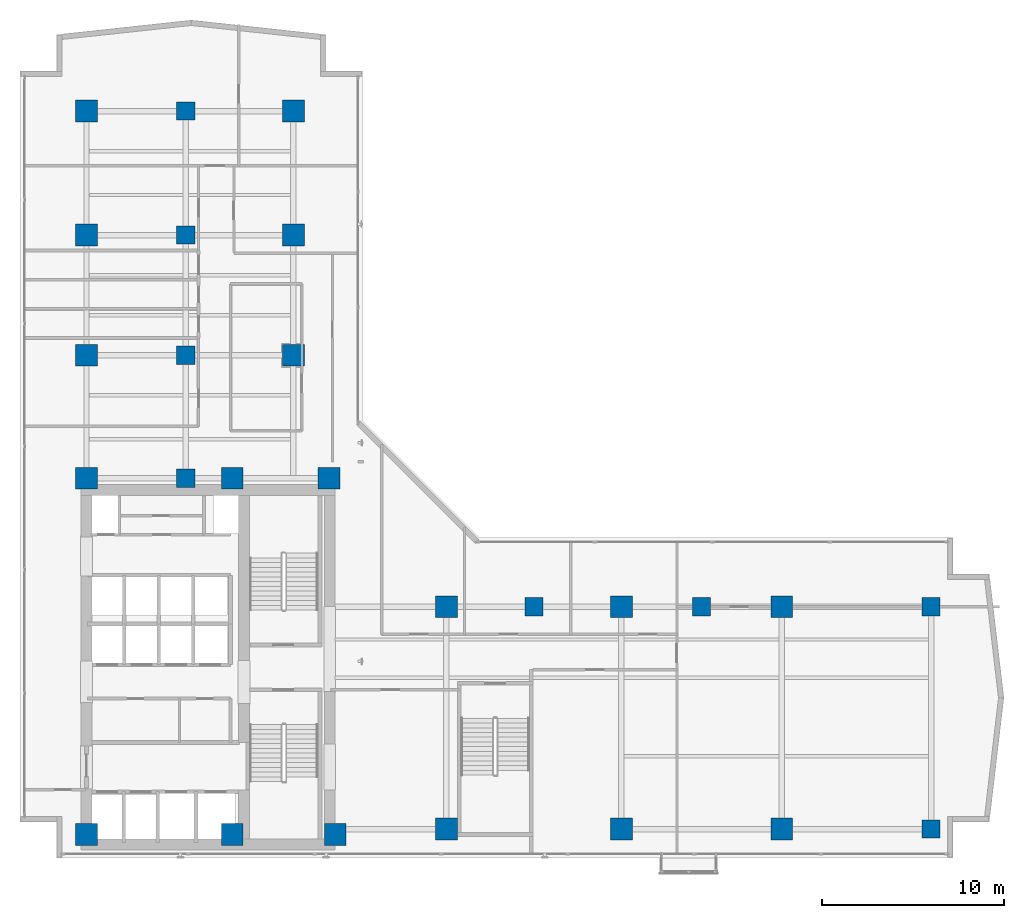
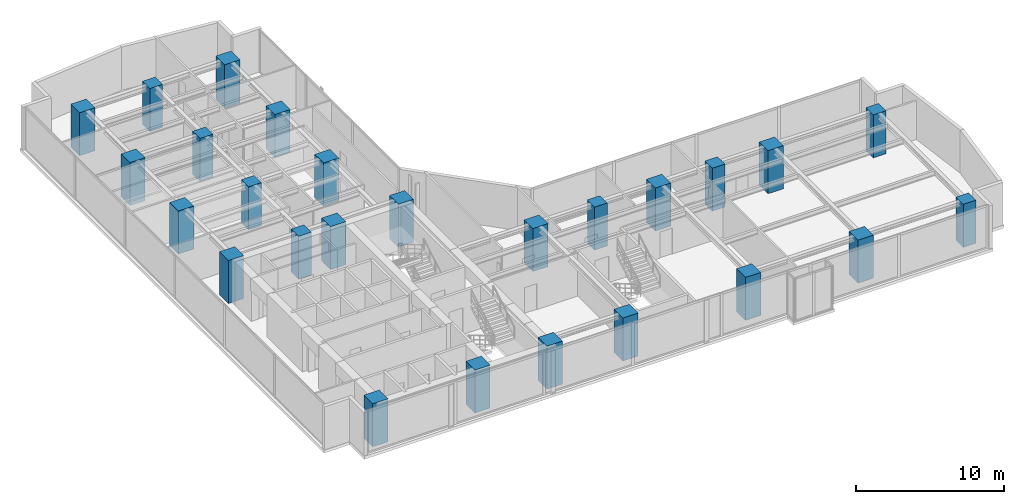
# One storey, part 1 of 26: 26 columns.
"""IFC4 building model written with IfcOpenShell, lengths in metres."""

import ifcopenshell
import ifcopenshell.guid

model = None  # the IFC model being written
_history = None  # IfcOwnerHistory: only IFC2X3 demands one
_inside = {}  # id of a spatial element -> (the spatial element, [elements in it])
_under = {}  # id of a project, library or spatial element -> (it, [spatial elements below it])
_declared = {}  # id of a project -> (the project, [libraries it declares])
_typed = {}  # id of a type object -> (the type object, [elements of that type])
_made_of = {}  # id of a material, layer set ... -> (it, [elements and type objects made of it])


def new_model(schema):
    """Start an empty IFC model of exactly this schema.

    Asked for "IFC4X3", IfcOpenShell would pick the latest addendum, in which some entities
    have other attributes; the version numbers below select the first issue.
    IFC2X3 requires an IfcOwnerHistory on every rooted entity: one is made here for all.
    """
    global model, _history
    if schema == "IFC4X3":
        model = ifcopenshell.file(schema_version=(4, 3, 0, 0))
    else:
        model = ifcopenshell.file(schema=schema)
    _inside.clear()
    _under.clear()
    _declared.clear()
    _typed.clear()
    _made_of.clear()
    _history = None
    if model.schema == "IFC2X3":
        org = make("IfcOrganization", Name="unknown")
        user = make(
            "IfcPersonAndOrganization",
            ThePerson=make("IfcPerson", FamilyName="unknown"),
            TheOrganization=org,
        )
        app = make(
            "IfcApplication",
            ApplicationDeveloper=org,
            Version="unknown",
            ApplicationFullName="unknown",
            ApplicationIdentifier="unknown",
        )
        _history = make(
            "IfcOwnerHistory",
            OwningUser=user,
            OwningApplication=app,
            ChangeAction="ADDED",
            CreationDate=0,
        )
    return model


def make(cls, **values):
    """One entity of the class cls with the attributes given. An attribute that is None is left unset."""
    return model.create_entity(
        cls, **{name: value for name, value in values.items() if value is not None}
    )


def rooted(cls, **values):
    """An entity with a GlobalId (a new one), such as an element, a storey or a relation."""
    return make(cls, GlobalId=ifcopenshell.guid.new(), OwnerHistory=_history, **values)


def si_unit(unit_type, name, prefix=None):
    """IfcSIUnit, for example si_unit("LENGTHUNIT", "METRE", prefix="MILLI")."""
    return make("IfcSIUnit", UnitType=unit_type, Prefix=prefix, Name=name)


def assignment(units):
    """IfcUnitAssignment: the units of a project."""
    return None if units is None else make("IfcUnitAssignment", Units=units)


def point(xyz):
    """IfcCartesianPoint."""
    return None if xyz is None else make("IfcCartesianPoint", Coordinates=xyz)


def direction(xyz):
    """IfcDirection."""
    return None if xyz is None else make("IfcDirection", DirectionRatios=xyz)


def frame(location, z_axis=None, x_axis=None):
    """IfcAxis2Placement3D, a coordinate frame: its origin and axes. An axis left out is left unset."""
    return make(
        "IfcAxis2Placement3D",
        Location=point(location),
        Axis=direction(z_axis),
        RefDirection=direction(x_axis),
    )


def frame_2d(location, x_axis=None):
    """IfcAxis2Placement2D, a coordinate frame in the plane: its origin and x axis."""
    return make(
        "IfcAxis2Placement2D", Location=point(location), RefDirection=direction(x_axis)
    )


def origin():
    """The frame at (0, 0, 0) with its axes left unset."""
    return frame((0.0, 0.0, 0.0))


def origin_2d():
    """The frame at (0, 0) in the plane with its x axis left unset."""
    return frame_2d((0.0, 0.0))


def place(relative_to, where):
    """IfcLocalPlacement: puts the frame where relative to a parent placement (None: the world)."""
    return make(
        "IfcLocalPlacement", PlacementRelTo=relative_to, RelativePlacement=where
    )


def context(
    kind, dimensions, precision=None, world=None, true_north=None, identifier=None
):
    """IfcGeometricRepresentationContext, for example the 3D "Model" context."""
    return make(
        "IfcGeometricRepresentationContext",
        ContextIdentifier=identifier,
        ContextType=kind,
        CoordinateSpaceDimension=dimensions,
        Precision=precision,
        WorldCoordinateSystem=world,
        TrueNorth=true_north,
    )


def subcontext(parent, identifier, kind, view, scale=None):
    """IfcGeometricRepresentationSubContext, for example "Body" below "Model"."""
    return make(
        "IfcGeometricRepresentationSubContext",
        ContextIdentifier=identifier,
        ContextType=kind,
        ParentContext=parent,
        TargetScale=scale,
        TargetView=view,
    )


def project(units=None, contexts=None):
    """IfcProject with its units and contexts."""
    return rooted(
        "IfcProject",
        Name="project",
        RepresentationContexts=contexts,
        UnitsInContext=assignment(units),
    )


def spatial(cls, under=None, at=None, **own):
    """A site, building, storey or space (cls), placed at a placement, below another one or the project."""
    s = rooted(cls, ObjectPlacement=at, **own)
    if under is not None:
        _under.setdefault(under.id(), (under, []))[1].append(s)
    return s


def profile(cls, at=None, kind="AREA", **sizes):
    """A parametric profile (cls). Its sizes go by their IFC names, for example OverallWidth=200.0."""
    return make(cls, ProfileType=kind, Position=at, **sizes)


def rectangle(**sizes):
    """IfcRectangleProfileDef."""
    return profile("IfcRectangleProfileDef", **sizes)


def extrude(swept, where, along, depth):
    """IfcExtrudedAreaSolid: the profile swept, set in the frame where, extruded along a direction by depth."""
    return make(
        "IfcExtrudedAreaSolid",
        SweptArea=swept,
        Position=where,
        ExtrudedDirection=direction(along),
        Depth=depth,
    )


def shape(context_of_items, identifier, shape_type, items):
    """IfcShapeRepresentation: the items that make up one representation, for example the "Body"."""
    return make(
        "IfcShapeRepresentation",
        ContextOfItems=context_of_items,
        RepresentationIdentifier=identifier,
        RepresentationType=shape_type,
        Items=items,
    )


def material(Name=None, Category=None):
    """IfcMaterial."""
    return make("IfcMaterial", Name=Name, Category=Category)


def material_profile(
    of_material, cross_section, Name=None, Category=None, Priority=None
):
    """IfcMaterialProfile: a cross section and its material."""
    return make(
        "IfcMaterialProfile",
        Name=Name,
        Material=of_material,
        Profile=cross_section,
        Priority=Priority,
        Category=Category,
    )


def profile_set(profiles, Name=None, composite=None):
    """IfcMaterialProfileSet."""
    return make(
        "IfcMaterialProfileSet",
        Name=Name,
        MaterialProfiles=profiles,
        CompositeProfile=composite,
    )


def made_of(thing, what):
    """Note that an element or type object is made of a material, layer set ...; save() writes the relation."""
    if what is not None:
        _made_of.setdefault(what.id(), (what, []))[1].append(thing)
    return thing


def type_object(cls, material=None, **own):
    """A type object (cls), such as IfcWallType, which elements share."""
    return made_of(rooted(cls, **own), material)


def element(
    cls,
    number,
    at=None,
    inside=None,
    cuts=None,
    type_object=None,
    material=None,
    context=None,
    identifier="Body",
    shape_type=None,
    held_by="IfcProductDefinitionShape",
    body=None,
    shapes=None,
    **own,
):
    """One element of the class cls, such as IfcWall. Its Tag is "e" and its number.

    at: its placement. inside: the storey or other place that contains it. cuts: it is an
    opening in that element (IfcRelVoidsElement). A single representation is given by context,
    identifier, shape_type and body (its items); several are given by shapes. held_by: the class
    of the entity that holds the representations. save() writes the other relations.
    """
    e = rooted(cls, Tag="e%d" % number, ObjectPlacement=at, **own)
    if body is not None:
        shapes = [shape(context, identifier, shape_type, body)]
    if shapes is not None:
        e.Representation = make(held_by, Representations=shapes)
    if inside is not None:
        _inside.setdefault(inside.id(), (inside, []))[1].append(e)
    if cuts is not None:
        rooted(
            "IfcRelVoidsElement", RelatingBuildingElement=cuts, RelatedOpeningElement=e
        )
    if type_object is not None:
        _typed.setdefault(type_object.id(), (type_object, []))[1].append(e)
    return made_of(e, material)


def aggregate(whole, parts):
    """IfcRelAggregates: a whole, such as a stair, and the parts it consists of."""
    return rooted("IfcRelAggregates", RelatingObject=whole, RelatedObjects=parts)


def save(model, path):
    """Write the relations noted so far, then the file.

    IfcRelAggregates (storeys below a building ...), IfcRelContainedInSpatialStructure (elements
    in a storey), IfcRelDefinesByType, IfcRelAssociatesMaterial and IfcRelDeclares: one each for
    every whole, place, type object, material and project.
    """
    for whole, parts in _under.values():
        aggregate(whole, parts)
    for where, things in _inside.values():
        rooted(
            "IfcRelContainedInSpatialStructure",
            RelatedElements=things,
            RelatingStructure=where,
        )
    for kind, things in _typed.values():
        rooted("IfcRelDefinesByType", RelatedObjects=things, RelatingType=kind)
    for what, things in _made_of.values():
        rooted("IfcRelAssociatesMaterial", RelatedObjects=things, RelatingMaterial=what)
    for by, libraries in _declared.values():
        rooted("IfcRelDeclares", RelatingContext=by, RelatedDefinitions=libraries)
    model.write(path)


model = new_model("IFC4")

# Units and contexts
model_context = context("Model", 3, precision=1e-05, world=origin(), true_north=direction((0.0, 1.0)))
body_context = subcontext(model_context, "Body", "Model", "MODEL_VIEW")
ifc_project = project(units=[si_unit("LENGTHUNIT", "METRE"), si_unit("AREAUNIT", "SQUARE_METRE"), si_unit("VOLUMEUNIT", "CUBIC_METRE"), si_unit("PLANEANGLEUNIT", "RADIAN"), si_unit("MASSUNIT", "GRAM", prefix="KILO")], contexts=[model_context])

# Site, building, storey
site_placement = place(None, origin())
site = spatial("IfcSite", under=ifc_project, at=site_placement, CompositionType="ELEMENT")
building_placement = place(site_placement, origin())
building = spatial("IfcBuilding", under=site, at=building_placement, Name="Kolvaren Waterfront Exchange", CompositionType="ELEMENT")
storey_placement = place(building_placement, frame((0.0, 0.0, 150.0)))
storey = spatial("IfcBuildingStorey", under=building, at=storey_placement, Name="L38", CompositionType="ELEMENT", Elevation=150.0)

# Columns
ifc_material = material(Name="Concrete C60/75", Category="concrete")
ifc_material_profile_1 = material_profile(ifc_material, rectangle(XDim=1.0, YDim=1.0, at=origin_2d()), Name="RC-COL-1000x1000")
ifc_profile_set_1 = profile_set([ifc_material_profile_1], Name="Concrete C60/75")
column_type_1 = type_object("IfcColumnType", Name="STR-COL-1000-C60", PredefinedType="COLUMN", material=ifc_profile_set_1)
for number, where, z_axis, x_axis, name in (
    (1, (53.800048828125, 5.199951171875, 0.0), (0.0, 0.0, 1.0), (1.0, 0.0, 0.0), "L38 column ZC01"),
    (2, (53.800048828125, 17.39990234375, 0.0), (0.0, 0.0, 1.0), (1.0, 0.0, 0.0), "L38 column ZC02"),
    (3, (12.89990234375, 24.449951171875, 0.0), (0.0, 0.0, 1.0), (1.0, 0.0, 0.0), "L38 column TC01"),
    (4, (12.89990234375, 31.199951171875, 0.0), (0.0, 0.0, 1.0), (1.0, 0.0, 0.0), "L38 column TC02"),
    (5, (12.89990234375, 37.800048828125, 0.0), (0.0, 0.0, 1.0), (1.0, 0.0, 0.0), "L38 column TC03"),
    (6, (12.89990234375, 44.60009765625, 0.0), (0.0, 0.0, 1.0), (1.0, 0.0, 0.0), "L38 column TC04"),
    (7, (32.0, 17.39990234375, 0.0), (0.0, 0.0, 1.0), (1.0, 0.0, 0.0), "L38 column TC05"),
    (8, (41.199951171875, 17.39990234375, 0.0), (0.0, 0.0, 1.0), (1.0, 0.0, 0.0), "L38 column TC06"),
):
    element("IfcColumn", number, at=place(storey_placement, frame(where, z_axis=z_axis, x_axis=x_axis)), inside=storey, type_object=column_type_1, Name=name, PredefinedType="COLUMN", context=body_context, shape_type="SweptSolid", body=[
        extrude(rectangle(XDim=1.0, YDim=1.0, at=origin_2d()), origin(), (0.0, 0.0, 1.0), 3.56005859375),
    ])
ifc_material_profile_2 = material_profile(ifc_material, rectangle(XDim=1.199951171875, YDim=1.199951171875, at=origin_2d()), Name="RC-COL-1200x1200")
ifc_profile_set_2 = profile_set([ifc_material_profile_2], Name="Concrete C60/75")
column_type_2 = type_object("IfcColumnType", Name="STR-COL-1200-C60", PredefinedType="COLUMN", material=ifc_profile_set_2)
for number, where, z_axis, x_axis, name in (
    (9, (7.449951171875, 4.89990234375, 0.0), (0.0, 0.0, 1.0), (1.0, 0.0, 0.0), "L38 column MC01"),
    (10, (15.449951171875, 4.89990234375, 0.0), (0.0, 0.0, 1.0), (1.0, 0.0, 0.0), "L38 column MC02"),
    (11, (21.10009765625, 4.89990234375, 0.0), (0.0, 0.0, 1.0), (1.0, 0.0, 0.0), "L38 column MC03"),
    (12, (7.449951171875, 24.449951171875, 0.0), (0.0, 0.0, 1.0), (1.0, 0.0, 0.0), "L38 column MC04"),
    (13, (15.449951171875, 24.449951171875, 0.0), (0.0, 0.0, 1.0), (1.0, 0.0, 0.0), "L38 column MC05"),
    (14, (20.75, 24.449951171875, 0.0), (0.0, 0.0, 1.0), (1.0, 0.0, 0.0), "L38 column MC06"),
    (15, (7.449951171875, 31.199951171875, 0.0), (0.0, 0.0, 1.0), (1.0, 0.0, 0.0), "L38 column NC01"),
    (16, (7.449951171875, 37.800048828125, 0.0), (0.0, 0.0, 1.0), (1.0, 0.0, 0.0), "L38 column NC02"),
    (17, (7.449951171875, 44.60009765625, 0.0), (0.0, 0.0, 1.0), (1.0, 0.0, 0.0), "L38 column NC03"),
    (18, (18.800048828125, 31.199951171875, 0.0), (0.0, 0.0, 1.0), (1.0, 0.0, 0.0), "L38 column NC04"),
    (19, (18.800048828125, 37.800048828125, 0.0), (0.0, 0.0, 1.0), (1.0, 0.0, 0.0), "L38 column NC05"),
    (20, (18.800048828125, 44.60009765625, 0.0), (0.0, 0.0, 1.0), (1.0, 0.0, 0.0), "L38 column NC06"),
    (21, (27.199951171875, 5.199951171875, 0.0), (0.0, 0.0, 1.0), (1.0, 0.0, 0.0), "L38 column EC01"),
    (22, (36.800048828125, 5.199951171875, 0.0), (0.0, 0.0, 1.0), (1.0, 0.0, 0.0), "L38 column EC02"),
    (23, (45.60009765625, 5.199951171875, 0.0), (0.0, 0.0, 1.0), (1.0, 0.0, 0.0), "L38 column EC03"),
    (24, (27.199951171875, 17.39990234375, 0.0), (0.0, 0.0, 1.0), (1.0, 0.0, 0.0), "L38 column EC04"),
    (25, (36.800048828125, 17.39990234375, 0.0), (0.0, 0.0, 1.0), (1.0, 0.0, 0.0), "L38 column EC05"),
    (26, (45.60009765625, 17.39990234375, 0.0), (0.0, 0.0, 1.0), (1.0, 0.0, 0.0), "L38 column EC06"),
):
    element("IfcColumn", number, at=place(storey_placement, frame(where, z_axis=z_axis, x_axis=x_axis)), inside=storey, type_object=column_type_2, Name=name, PredefinedType="COLUMN", context=body_context, shape_type="SweptSolid", body=[
        extrude(rectangle(XDim=1.199951171875, YDim=1.199951171875, at=origin_2d()), origin(), (0.0, 0.0, 1.0), 3.56005859375),
    ])

save(model, "model.ifc")
